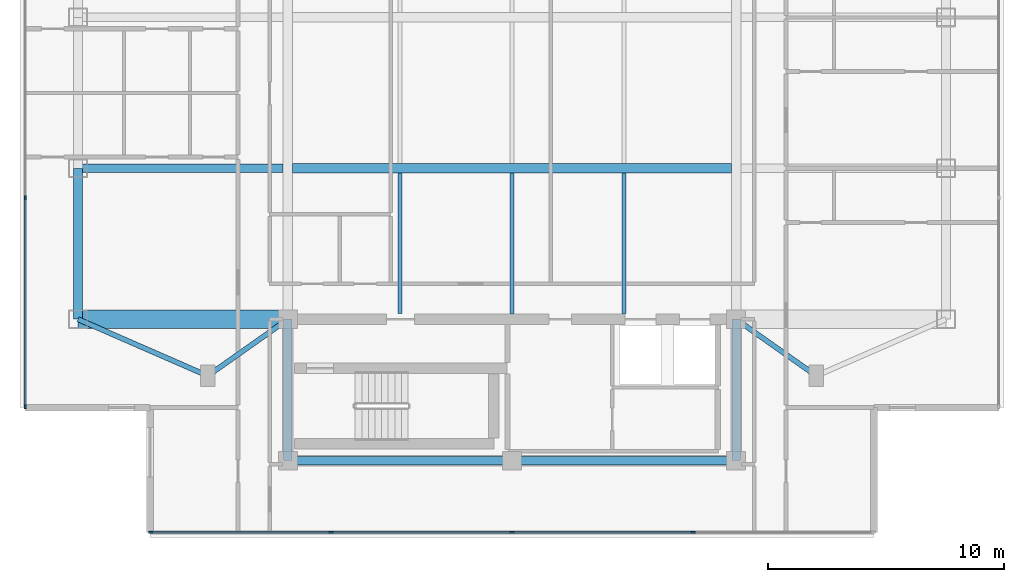
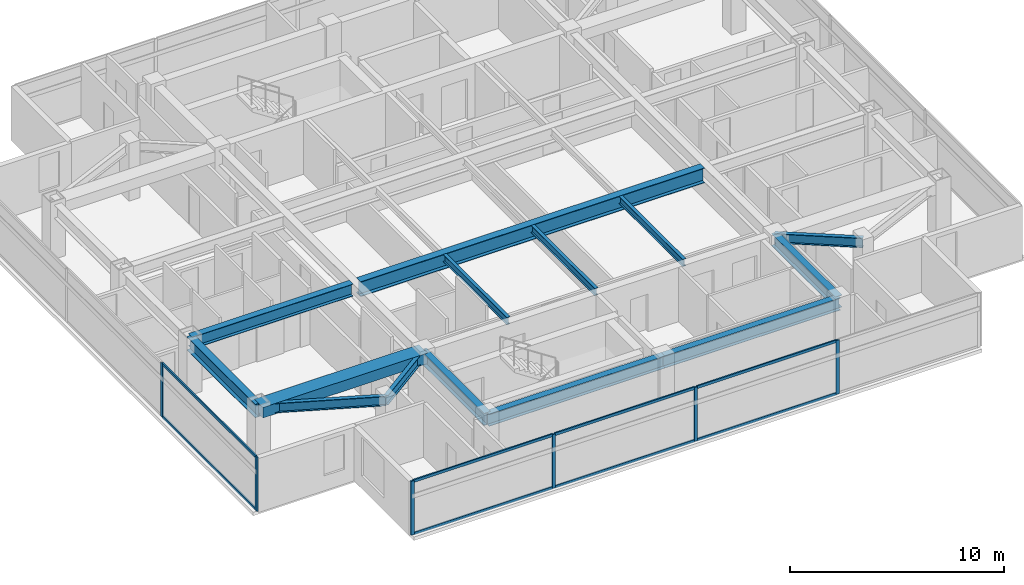
# One storey, part 2 of 12: 14 beams, 14 members, 2 elements without a shape of their own.
"""IFC4 building model written with IfcOpenShell, lengths in metres."""

from ifc_helpers import new_model, si_unit, direction, frame, origin, origin_2d, place, context, subcontext, project, spatial, rectangle, i_section, extrude, material, material_profile, profile_set, type_object, element, aggregate, save


model = new_model("IFC4")

# Units and contexts
model_context = context("Model", 3, precision=1e-05, world=origin(), true_north=direction((0.0, 1.0)))
body_context = subcontext(model_context, "Body", "Model", "MODEL_VIEW")
ifc_project = project(units=[si_unit("LENGTHUNIT", "METRE"), si_unit("AREAUNIT", "SQUARE_METRE"), si_unit("VOLUMEUNIT", "CUBIC_METRE"), si_unit("PLANEANGLEUNIT", "RADIAN"), si_unit("MASSUNIT", "GRAM", prefix="KILO")], contexts=[model_context])

# Site, building, storey
site_placement = place(None, origin())
site = spatial("IfcSite", under=ifc_project, at=site_placement, CompositionType="ELEMENT")
building_placement = place(site_placement, origin())
building = spatial("IfcBuilding", under=site, at=building_placement, Name="Mirazonda Arch Towers", CompositionType="ELEMENT")
storey_placement = place(building_placement, frame((0.0, 0.0, 226.0)))
storey = spatial("IfcBuildingStorey", under=building, at=storey_placement, Name="L64", CompositionType="ELEMENT", Elevation=226.0)

# Beams
ifc_material_1 = material(Name="Steel ASTM A992 Grade 50", Category="steel")
ifc_material_profile_1 = material_profile(ifc_material_1, i_section(OverallWidth=0.381103515625, OverallDepth=0.77294921875, WebThickness=0.0166015625, FlangeThickness=0.027099609375, at=origin_2d()), Name="W30X173")
ifc_profile_set_1 = profile_set([ifc_material_profile_1], Name="Steel ASTM A992 Grade 50")
beam_type_1 = type_object("IfcBeamType", Name="BM-EXT-W30X173", PredefinedType="USERDEFINED", material=ifc_profile_set_1)
beam_1_placement = place(storey_placement, frame((2.10009765625, 18.39990234375, 2.71337890625), z_axis=(0.0, 1.0, 0.0), x_axis=(-1.0, 0.0, 0.0)))
element("IfcBeam", 1, at=beam_1_placement, inside=storey, type_object=beam_type_1, Name="L64 Floor Beam BM-T1-L64-NS-W-18", ObjectType="GIRDER", PredefinedType="USERDEFINED", context=body_context, shape_type="SweptSolid", body=[
    extrude(i_section(OverallWidth=0.381103515625, OverallDepth=0.77294921875, WebThickness=0.0166015625, FlangeThickness=0.027099609375, at=origin_2d()), origin(), (0.0, 0.0, 1.0), 6.400146484375),
])
ifc_material_profile_2 = material_profile(ifc_material_1, i_section(OverallWidth=0.180908203125, OverallDepth=0.4169921875, WebThickness=0.010986328125, FlangeThickness=0.018310546875, at=origin_2d()), Name="W16X57")
ifc_profile_set_2 = profile_set([ifc_material_profile_2], Name="Steel ASTM A992 Grade 50")
beam_type_2 = type_object("IfcBeamType", Name="BM-INT-W16X57", PredefinedType="JOIST", material=ifc_profile_set_2)
for number, where, z_axis, x_axis, name in (
    (2, (15.75, 18.639892578125, 2.8916015625), (0.0, 1.0, 0.0), (-1.0, 0.0, 0.0), "L64 Floor Beam BM-T1-L64-J-157-18"),
    (3, (20.5, 18.639892578125, 2.8916015625), (0.0, 1.0, 0.0), (-1.0, 0.0, 0.0), "L64 Floor Beam BM-T1-L64-J-205-18"),
    (4, (25.25, 18.639892578125, 2.8916015625), (0.0, 1.0, 0.0), (-1.0, 0.0, 0.0), "L64 Floor Beam BM-T1-L64-J-252-18"),
):
    element("IfcBeam", number, at=place(storey_placement, frame(where, z_axis=z_axis, x_axis=x_axis)), inside=storey, type_object=beam_type_2, Name=name, PredefinedType="JOIST", context=body_context, shape_type="SweptSolid", body=[
        extrude(i_section(OverallWidth=0.180908203125, OverallDepth=0.4169921875, WebThickness=0.010986328125, FlangeThickness=0.018310546875, at=origin_2d()), origin(), (0.0, 0.0, 1.0), 5.964111328125),
    ])
ifc_material_profile_3 = material_profile(ifc_material_1, i_section(OverallWidth=0.214111328125, OverallDepth=0.549072265625, WebThickness=0.0146484375, FlangeThickness=0.023681640625, at=origin_2d()), Name="W21X93")
ifc_profile_set_3 = profile_set([ifc_material_profile_3], Name="Steel ASTM A992 Grade 50")
beam_type_3 = type_object("IfcBeamType", Name="BM-INT-W21X93", PredefinedType="BEAM", material=ifc_profile_set_3)
beam_2_placement = place(storey_placement, frame((7.60009765625, 16.0, 2.825439453125), z_axis=(0.816971114901, 0.576678591087, 0.0), x_axis=(-0.576678591087, 0.816971114901, 0.0)))
element("IfcBeam", 5, at=beam_2_placement, inside=storey, type_object=beam_type_3, Name="L64 Floor Beam BM-T1-L64-PL-SW1", PredefinedType="BEAM", context=body_context, shape_type="SweptSolid", body=[
    extrude(i_section(OverallWidth=0.214111328125, OverallDepth=0.549072265625, WebThickness=0.0146484375, FlangeThickness=0.023681640625, at=origin_2d()), origin(), (0.0, 0.0, 1.0), 4.16162109375),
])
beam_3_placement = place(storey_placement, frame((7.60009765625, 16.0, 2.825439453125), z_axis=(-0.916545343703, 0.399930785183, 0.0), x_axis=(-0.399930785183, -0.916545343703, 0.0)))
element("IfcBeam", 6, at=beam_3_placement, inside=storey, type_object=beam_type_3, Name="L64 Floor Beam BM-T1-L64-PL-SW2", PredefinedType="BEAM", context=body_context, shape_type="SweptSolid", body=[
    extrude(i_section(OverallWidth=0.214111328125, OverallDepth=0.549072265625, WebThickness=0.0146484375, FlangeThickness=0.023681640625, at=origin_2d()), origin(), (0.0, 0.0, 1.0), 6.000732421875),
])
beam_4_placement = place(storey_placement, frame((33.39990234375, 16.0, 2.825439453125), z_axis=(-0.816971114901, 0.576678591087, 0.0), x_axis=(-0.576678591087, -0.816971114901, 0.0)))
element("IfcBeam", 7, at=beam_4_placement, inside=storey, type_object=beam_type_3, Name="L64 Floor Beam BM-T1-L64-PL-SE1", PredefinedType="BEAM", context=body_context, shape_type="SweptSolid", body=[
    extrude(i_section(OverallWidth=0.214111328125, OverallDepth=0.549072265625, WebThickness=0.0146484375, FlangeThickness=0.023681640625, at=origin_2d()), origin(), (0.0, 0.0, 1.0), 4.16162109375),
])
ifc_material_profile_4 = material_profile(ifc_material_1, i_section(OverallWidth=0.35498046875, OverallDepth=0.696044921875, WebThickness=0.015380859375, FlangeThickness=0.02490234375, at=origin_2d()), Name="W27X146")
ifc_profile_set_4 = profile_set([ifc_material_profile_4], Name="Steel ASTM A992 Grade 50")
beam_type_4 = type_object("IfcBeamType", Name="BM-INT-W27X146", PredefinedType="BEAM", material=ifc_profile_set_4)
beam_5_placement = place(storey_placement, frame((2.10009765625, 24.800048828125, 2.751953125), z_axis=(1.0, 0.0, 0.0), x_axis=(0.0, 1.0, 0.0)))
element("IfcBeam", 8, at=beam_5_placement, inside=storey, type_object=beam_type_4, Name="L64 Floor Beam BM-T1-L64-GW2", PredefinedType="BEAM", context=body_context, shape_type="SweptSolid", body=[
    extrude(i_section(OverallWidth=0.35498046875, OverallDepth=0.696044921875, WebThickness=0.015380859375, FlangeThickness=0.02490234375, at=origin_2d()), origin(), (0.0, 0.0, 1.0), 8.699951171875),
])
for number, where, z_axis, x_axis, name in (
    (9, (11.0, 12.39990234375, 2.751953125), (1.0, 0.0, 0.0), (0.0, 1.0, 0.0), "L64 Floor Beam BM-T1-L64-CS1"),
    (10, (20.5, 12.39990234375, 2.751953125), (1.0, 0.0, 0.0), (0.0, 1.0, 0.0), "L64 Floor Beam BM-T1-L64-CS2"),
):
    element("IfcBeam", number, at=place(storey_placement, frame(where, z_axis=z_axis, x_axis=x_axis)), inside=storey, type_object=beam_type_4, Name=name, PredefinedType="BEAM", context=body_context, shape_type="SweptSolid", body=[
        extrude(i_section(OverallWidth=0.35498046875, OverallDepth=0.696044921875, WebThickness=0.015380859375, FlangeThickness=0.02490234375, at=origin_2d()), origin(), (0.0, 0.0, 1.0), 9.5),
    ])
for number, where, z_axis, x_axis, name in (
    (11, (11.0, 12.39990234375, 2.751953125), (0.0, 1.0, 0.0), (-1.0, 0.0, 0.0), "L64 Floor Beam BM-T1-L64-CSW"),
    (12, (30.0, 12.39990234375, 2.751953125), (0.0, 1.0, 0.0), (-1.0, 0.0, 0.0), "L64 Floor Beam BM-T1-L64-CSE"),
):
    element("IfcBeam", number, at=place(storey_placement, frame(where, z_axis=z_axis, x_axis=x_axis)), inside=storey, type_object=beam_type_4, Name=name, PredefinedType="BEAM", context=body_context, shape_type="SweptSolid", body=[
        extrude(i_section(OverallWidth=0.35498046875, OverallDepth=0.696044921875, WebThickness=0.015380859375, FlangeThickness=0.02490234375, at=origin_2d()), origin(), (0.0, 0.0, 1.0), 6.0),
    ])
ifc_material_profile_5 = material_profile(ifc_material_1, i_section(OverallWidth=0.39990234375, OverallDepth=0.85595703125, WebThickness=0.018310546875, FlangeThickness=0.029296875, at=origin_2d()), Name="W33X201")
ifc_profile_set_5 = profile_set([ifc_material_profile_5], Name="Steel ASTM A992 Grade 50")
beam_type_5 = type_object("IfcBeamType", Name="BM-INT-W33X201", PredefinedType="USERDEFINED", material=ifc_profile_set_5)
beam_6_placement = place(storey_placement, frame((11.199951171875, 24.800048828125, 2.672119140625), z_axis=(1.0, 0.0, 0.0), x_axis=(0.0, 1.0, 0.0)))
element("IfcBeam", 13, at=beam_6_placement, inside=storey, type_object=beam_type_5, Name="L64 Floor Beam BM-T1-L64-GC2", ObjectType="GIRDER", PredefinedType="USERDEFINED", context=body_context, shape_type="SweptSolid", body=[
    extrude(i_section(OverallWidth=0.39990234375, OverallDepth=0.85595703125, WebThickness=0.018310546875, FlangeThickness=0.029296875, at=origin_2d()), origin(), (0.0, 0.0, 1.0), 18.60009765625),
])
ifc_material_2 = material(Name="Concrete C60/75", Category="concrete")
ifc_material_profile_6 = material_profile(ifc_material_2, rectangle(XDim=0.800048828125, YDim=0.60009765625, at=origin_2d()), Name="RCCB800x600")
ifc_profile_set_6 = profile_set([ifc_material_profile_6], Name="Concrete C60/75")
beam_type_6 = type_object("IfcBeamType", Name="CB-INT-RCCB800x600", PredefinedType="SPANDREL", material=ifc_profile_set_6)
beam_7_placement = place(storey_placement, frame((2.10009765625, 18.39990234375, 2.800048828125), z_axis=(1.0, 0.0, 0.0), x_axis=(0.0, 1.0, 0.0)))
element("IfcBeam", 14, at=beam_7_placement, inside=storey, type_object=beam_type_6, Name="L64 Floor Beam CBC-T1-L64-SW", PredefinedType="SPANDREL", context=body_context, shape_type="SweptSolid", body=[
    extrude(rectangle(XDim=0.800048828125, YDim=0.60009765625, at=origin_2d()), origin(), (0.0, 0.0, 1.0), 8.89990234375),
])

# Curtain wall, members
ifc_material_3 = material(Name="Anodised Aluminium and Low-E Glass", Category="aluminium")
curtain_wall_type = type_object("IfcCurtainWallType", Name="CW-RES-UNIT", PredefinedType="NOTDEFINED", material=ifc_material_3)
curtain_wall_1_placement = place(storey_placement, origin())
curtain_wall_1 = element("IfcCurtainWall", 15, at=curtain_wall_1_placement, inside=storey, type_object=curtain_wall_type, Name="L64 T1 S Facade CW-L64-T1-S", PredefinedType="NOTDEFINED")
ifc_material_4 = material(Name="Anodised Aluminium Alloy", Category="aluminium")
ifc_material_profile_7 = material_profile(ifc_material_4, rectangle(XDim=0.074951171875, YDim=0.175048828125, at=origin_2d()), Name="ALU-MULL-75x175")
ifc_profile_set_7 = profile_set([ifc_material_profile_7], Name="Anodised Aluminium Alloy")
member_type_1 = type_object("IfcMemberType", Name="MULL-CW-RES-UNIT", PredefinedType="MULLION", material=ifc_profile_set_7)
member_1_placement = place(storey_placement, frame((28.175048828125, 9.364013671875, 0.0), z_axis=(0.0, 0.0, 1.0), x_axis=(0.0, -1.0, 0.0)))
member_1 = element("IfcMember", 16, at=member_1_placement, type_object=member_type_1, Name="CW-104 mullion 2", PredefinedType="MULLION", context=body_context, shape_type="SweptSolid", body=[
    extrude(rectangle(XDim=0.074951171875, YDim=0.175048828125, at=origin_2d()), origin(), (0.0, 0.0, 1.0), 3.080078125),
])
member_2_placement = place(storey_placement, frame((20.5, 9.364013671875, 0.0), z_axis=(0.0, 0.0, 1.0), x_axis=(0.0, -1.0, 0.0)))
member_2 = element("IfcMember", 17, at=member_2_placement, type_object=member_type_1, Name="CW-104 mullion 3", PredefinedType="MULLION", context=body_context, shape_type="SweptSolid", body=[
    extrude(rectangle(XDim=0.074951171875, YDim=0.175048828125, at=origin_2d()), origin(), (0.0, 0.0, 1.0), 3.080078125),
])
member_3_placement = place(storey_placement, frame((12.824951171875, 9.364013671875, 0.0), z_axis=(0.0, 0.0, 1.0), x_axis=(0.0, -1.0, 0.0)))
member_3 = element("IfcMember", 18, at=member_3_placement, type_object=member_type_1, Name="CW-104 mullion 4", PredefinedType="MULLION", context=body_context, shape_type="SweptSolid", body=[
    extrude(rectangle(XDim=0.074951171875, YDim=0.175048828125, at=origin_2d()), origin(), (0.0, 0.0, 1.0), 3.080078125),
])
member_4_placement = place(storey_placement, frame((5.1875, 9.364013671875, 0.0), z_axis=(0.0, 0.0, 1.0), x_axis=(0.0, -1.0, 0.0)))
member_4 = element("IfcMember", 19, at=member_4_placement, type_object=member_type_1, Name="CW-104 mullion 5", PredefinedType="MULLION", context=body_context, shape_type="SweptSolid", body=[
    extrude(rectangle(XDim=0.074951171875, YDim=0.175048828125, at=origin_2d()), origin(), (0.0, 0.0, 1.0), 3.080078125),
])

curtain_wall_2_placement = place(storey_placement, origin())
curtain_wall_2 = element("IfcCurtainWall", 20, at=curtain_wall_2_placement, inside=storey, type_object=curtain_wall_type, Name="L64 T1 W Facade CW-L64-T1-W", PredefinedType="NOTDEFINED")
member_5_placement = place(storey_placement, frame((-0.139892578125, 23.55126953125, 0.0), z_axis=(0.0, 0.0, 1.0), x_axis=(1.0, 0.0, 0.0)))
member_5 = element("IfcMember", 21, at=member_5_placement, type_object=member_type_1, Name="CW-104 mullion 3", PredefinedType="MULLION", context=body_context, shape_type="SweptSolid", body=[
    extrude(rectangle(XDim=0.074951171875, YDim=0.175048828125, at=origin_2d()), origin(), (0.0, 0.0, 1.0), 3.080078125),
])
member_6_placement = place(storey_placement, frame((-0.139892578125, 14.69140625, 0.0), z_axis=(0.0, 0.0, 1.0), x_axis=(1.0, 0.0, 0.0)))
member_6 = element("IfcMember", 22, at=member_6_placement, type_object=member_type_1, Name="CW-104 mullion 4", PredefinedType="MULLION", context=body_context, shape_type="SweptSolid", body=[
    extrude(rectangle(XDim=0.074951171875, YDim=0.175048828125, at=origin_2d()), origin(), (0.0, 0.0, 1.0), 3.080078125),
])

# Member
ifc_material_profile_8 = material_profile(ifc_material_4, rectangle(XDim=0.074951171875, YDim=0.155029296875, at=origin_2d()), Name="ALU-TRAN-75x155")
ifc_profile_set_8 = profile_set([ifc_material_profile_8], Name="Anodised Aluminium Alloy")
member_type_2 = type_object("IfcMemberType", Name="TRAN-CW-RES-UNIT", PredefinedType="USERDEFINED", material=ifc_profile_set_8)
member_7_placement = place(storey_placement, frame((28.137451171875, 9.364013671875, 0.03759765625), z_axis=(-1.0, 0.0, 0.0), x_axis=(0.0, -1.0, 0.0)))
member_7 = element("IfcMember", 23, at=member_7_placement, type_object=member_type_2, Name="CW-104 transom 2.1", ObjectType="TRANSOM", PredefinedType="USERDEFINED", context=body_context, shape_type="SweptSolid", body=[
    extrude(rectangle(XDim=0.074951171875, YDim=0.155029296875, at=origin_2d()), origin(), (0.0, 0.0, 1.0), 7.599853515625),
])

member_8_placement = place(storey_placement, frame((28.137451171875, 9.364013671875, 3.04248046875), z_axis=(-1.0, 0.0, 0.0), x_axis=(0.0, -1.0, 0.0)))
member_8 = element("IfcMember", 24, at=member_8_placement, type_object=member_type_2, Name="CW-104 transom 2.2", ObjectType="TRANSOM", PredefinedType="USERDEFINED", context=body_context, shape_type="SweptSolid", body=[
    extrude(rectangle(XDim=0.074951171875, YDim=0.155029296875, at=origin_2d()), origin(), (0.0, 0.0, 1.0), 7.599853515625),
])

member_9_placement = place(storey_placement, frame((20.46240234375, 9.364013671875, 0.03759765625), z_axis=(-1.0, 0.0, 0.0), x_axis=(0.0, -1.0, 0.0)))
member_9 = element("IfcMember", 25, at=member_9_placement, type_object=member_type_2, Name="CW-104 transom 3.1", ObjectType="TRANSOM", PredefinedType="USERDEFINED", context=body_context, shape_type="SweptSolid", body=[
    extrude(rectangle(XDim=0.074951171875, YDim=0.155029296875, at=origin_2d()), origin(), (0.0, 0.0, 1.0), 7.599853515625),
])

member_10_placement = place(storey_placement, frame((20.46240234375, 9.364013671875, 3.04248046875), z_axis=(-1.0, 0.0, 0.0), x_axis=(0.0, -1.0, 0.0)))
member_10 = element("IfcMember", 26, at=member_10_placement, type_object=member_type_2, Name="CW-104 transom 3.2", ObjectType="TRANSOM", PredefinedType="USERDEFINED", context=body_context, shape_type="SweptSolid", body=[
    extrude(rectangle(XDim=0.074951171875, YDim=0.155029296875, at=origin_2d()), origin(), (0.0, 0.0, 1.0), 7.599853515625),
])

member_11_placement = place(storey_placement, frame((12.78759765625, 9.364013671875, 0.03759765625), z_axis=(-1.0, 0.0, 0.0), x_axis=(0.0, -1.0, 0.0)))
member_11 = element("IfcMember", 27, at=member_11_placement, type_object=member_type_2, Name="CW-104 transom 4.1", ObjectType="TRANSOM", PredefinedType="USERDEFINED", context=body_context, shape_type="SweptSolid", body=[
    extrude(rectangle(XDim=0.074951171875, YDim=0.155029296875, at=origin_2d()), origin(), (0.0, 0.0, 1.0), 7.5625),
])

member_12_placement = place(storey_placement, frame((12.78759765625, 9.364013671875, 3.04248046875), z_axis=(-1.0, 0.0, 0.0), x_axis=(0.0, -1.0, 0.0)))
member_12 = element("IfcMember", 28, at=member_12_placement, type_object=member_type_2, Name="CW-104 transom 4.2", ObjectType="TRANSOM", PredefinedType="USERDEFINED", context=body_context, shape_type="SweptSolid", body=[
    extrude(rectangle(XDim=0.074951171875, YDim=0.155029296875, at=origin_2d()), origin(), (0.0, 0.0, 1.0), 7.5625),
])

aggregate(curtain_wall_1, [member_1, member_2, member_3, member_4, member_7, member_8, member_9, member_10, member_11, member_12])

member_13_placement = place(storey_placement, frame((-0.139892578125, 23.513916015625, 0.03759765625), z_axis=(0.0, -1.0, 0.0), x_axis=(1.0, 0.0, 0.0)))
member_13 = element("IfcMember", 29, at=member_13_placement, type_object=member_type_2, Name="CW-104 transom 3.1", ObjectType="TRANSOM", PredefinedType="USERDEFINED", context=body_context, shape_type="SweptSolid", body=[
    extrude(rectangle(XDim=0.074951171875, YDim=0.155029296875, at=origin_2d()), origin(), (0.0, 0.0, 1.0), 8.784912109375),
])

member_14_placement = place(storey_placement, frame((-0.139892578125, 23.513916015625, 3.04248046875), z_axis=(0.0, -1.0, 0.0), x_axis=(1.0, 0.0, 0.0)))
member_14 = element("IfcMember", 30, at=member_14_placement, type_object=member_type_2, Name="CW-104 transom 3.2", ObjectType="TRANSOM", PredefinedType="USERDEFINED", context=body_context, shape_type="SweptSolid", body=[
    extrude(rectangle(XDim=0.074951171875, YDim=0.155029296875, at=origin_2d()), origin(), (0.0, 0.0, 1.0), 8.784912109375),
])

aggregate(curtain_wall_2, [member_5, member_6, member_13, member_14])

save(model, "model.ifc")
